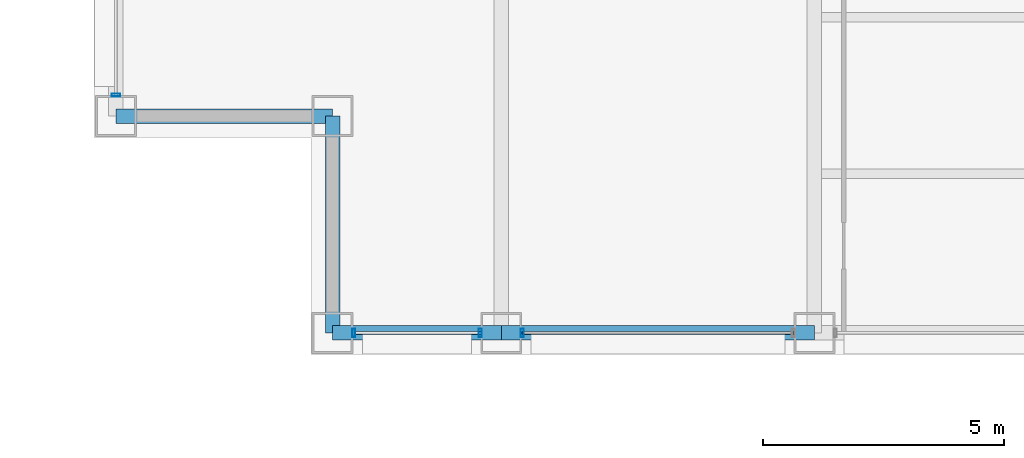
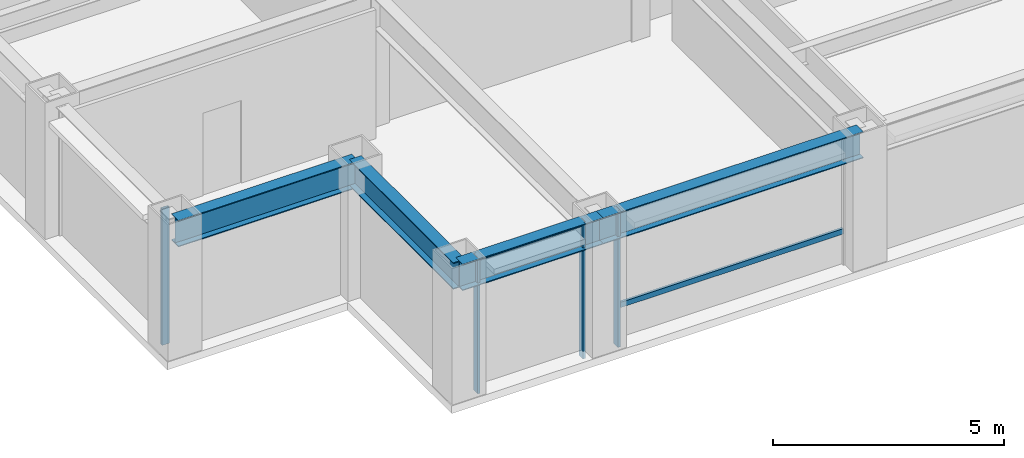
# One storey, part 2 of 28: 6 members, 4 beams, 3 elements without a shape of their own.
"""IFC4 building model written with IfcOpenShell, lengths in metres."""

from ifc_helpers import new_model, si_unit, direction, frame, origin, origin_2d, place, context, subcontext, project, spatial, hollow_rectangle, i_section, extrude, material, layer, layer_set, material_profile, profile_set, type_object, element, aggregate, save


model = new_model("IFC4")

# Units and contexts
model_context = context("Model", 3, precision=1e-05, world=origin(), true_north=direction((0.0, 1.0)))
body_context = subcontext(model_context, "Body", "Model", "MODEL_VIEW")
ifc_project = project(units=[si_unit("LENGTHUNIT", "METRE"), si_unit("AREAUNIT", "SQUARE_METRE"), si_unit("VOLUMEUNIT", "CUBIC_METRE"), si_unit("PLANEANGLEUNIT", "RADIAN"), si_unit("MASSUNIT", "GRAM", prefix="KILO")], contexts=[model_context])

# Site, building, storey
site_placement = place(None, origin())
site = spatial("IfcSite", under=ifc_project, at=site_placement, CompositionType="ELEMENT")
building_placement = place(site_placement, origin())
building = spatial("IfcBuilding", under=site, at=building_placement, Name="Brelmoor Portico Tower", CompositionType="ELEMENT")
storey_placement = place(building_placement, frame((0.0, 0.0, 91.800048828125)))
storey = spatial("IfcBuildingStorey", under=building, at=storey_placement, Name="L23", CompositionType="ELEMENT", Elevation=91.800048828125)

# Beams
ifc_material_1 = material(Name="Steel Q355B", Category="steel")
ifc_material_profile_1 = material_profile(ifc_material_1, i_section(OverallWidth=0.300048828125, OverallDepth=0.699951171875, WebThickness=0.012939453125, FlangeThickness=0.02392578125, at=origin_2d()), Name="HN 700x300x13x24")
ifc_profile_set_1 = profile_set([ifc_material_profile_1], Name="Steel Q355B")
beam_type = type_object("IfcBeamType", Name="BM-SP-700", PredefinedType="SPANDREL", material=ifc_profile_set_1)
beam_1_placement = place(storey_placement, frame((-18.050048828125, -19.550048828125, 3.050048828125), z_axis=(1.0, 0.0, 0.0), x_axis=(0.0, 1.0, 0.0)))
element("IfcBeam", 1, at=beam_1_placement, inside=storey, type_object=beam_type, Name="L23 Perimeter Spandrel Beam SP-01", PredefinedType="SPANDREL", context=body_context, shape_type="SweptSolid", body=[
    extrude(i_section(OverallWidth=0.300048828125, OverallDepth=0.699951171875, WebThickness=0.012939453125, FlangeThickness=0.02392578125, at=origin_2d()), origin(), (0.0, 0.0, 1.0), 3.5),
])
beam_2_placement = place(storey_placement, frame((-14.550048828125, -19.550048828125, 3.050048828125), z_axis=(1.0, 0.0, 0.0), x_axis=(0.0, 1.0, 0.0)))
element("IfcBeam", 2, at=beam_2_placement, inside=storey, type_object=beam_type, Name="L23 Perimeter Spandrel Beam SP-02", PredefinedType="SPANDREL", context=body_context, shape_type="SweptSolid", body=[
    extrude(i_section(OverallWidth=0.300048828125, OverallDepth=0.699951171875, WebThickness=0.012939453125, FlangeThickness=0.02392578125, at=origin_2d()), origin(), (0.0, 0.0, 1.0), 6.5),
])
for number, where, z_axis, x_axis, name in (
    (3, (-22.550048828125, -15.050048828125, 3.050048828125), (1.0, 0.0, 0.0), (0.0, 1.0, 0.0), "L23 Perimeter Spandrel Beam SP-06"),
    (4, (-18.050048828125, -19.550048828125, 3.050048828125), (0.0, 1.0, 0.0), (-1.0, 0.0, 0.0), "L23 Perimeter Spandrel Beam SP-18"),
):
    element("IfcBeam", number, at=place(storey_placement, frame(where, z_axis=z_axis, x_axis=x_axis)), inside=storey, type_object=beam_type, Name=name, PredefinedType="SPANDREL", context=body_context, shape_type="SweptSolid", body=[
        extrude(i_section(OverallWidth=0.300048828125, OverallDepth=0.699951171875, WebThickness=0.012939453125, FlangeThickness=0.02392578125, at=origin_2d()), origin(), (0.0, 0.0, 1.0), 4.5),
    ])

# Curtain wall, members
ifc_material_2 = material(Name="Anodised Aluminium Alloy 6063-T6", Category="aluminium")
ifc_layer_1 = layer(ifc_material_2, 0.179931640625)
ifc_layer_set_1 = layer_set([ifc_layer_1], Name="Anodised Aluminium Alloy 6063-T6")
curtain_wall_type_1 = type_object("IfcCurtainWallType", Name="CW-TOWER-Z2-XB", PredefinedType="NOTDEFINED", material=ifc_layer_set_1)
curtain_wall_1_placement = place(storey_placement, origin())
curtain_wall_1 = element("IfcCurtainWall", 5, at=curtain_wall_1_placement, inside=storey, type_object=curtain_wall_type_1, Name="L23 Curtain Wall CW-L23-01-1", PredefinedType="NOTDEFINED")
ifc_material_profile_2 = material_profile(ifc_material_2, hollow_rectangle(XDim=0.06494140625, YDim=0.179931640625, WallThickness=0.00390625, at=origin_2d()), Name="ALU MULLION 65x180")
ifc_profile_set_2 = profile_set([ifc_material_profile_2], Name="Anodised Aluminium Alloy 6063-T6")
member_type_1 = type_object("IfcMemberType", Name="MB-CW-MULL-180", PredefinedType="MULLION", material=ifc_profile_set_2)
member_1_placement = place(storey_placement, frame((-17.614990234375, -19.550048828125, -0.199951171875), z_axis=(0.0, 0.0, 1.0), x_axis=(1.0, 0.0, 0.0)))
member_1 = element("IfcMember", 6, at=member_1_placement, type_object=member_type_1, Name="CW-L23-01-1 Mullion 00", PredefinedType="MULLION", context=body_context, shape_type="SweptSolid", body=[
    extrude(hollow_rectangle(XDim=0.06494140625, YDim=0.179931640625, WallThickness=0.00390625, at=origin_2d()), origin(), (0.0, 0.0, 1.0), 3.599853515625),
])
member_2_placement = place(storey_placement, frame((-14.985107421875, -19.550048828125, -0.199951171875), z_axis=(0.0, 0.0, 1.0), x_axis=(1.0, 0.0, 0.0)))
member_2 = element("IfcMember", 7, at=member_2_placement, type_object=member_type_1, Name="CW-L23-01-1 Mullion 01", PredefinedType="MULLION", context=body_context, shape_type="SweptSolid", body=[
    extrude(hollow_rectangle(XDim=0.06494140625, YDim=0.179931640625, WallThickness=0.00390625, at=origin_2d()), origin(), (0.0, 0.0, 1.0), 3.599853515625),
])

# Curtain wall, member
ifc_layer_2 = layer(ifc_material_2, 0.179931640625)
ifc_layer_set_2 = layer_set([ifc_layer_2], Name="Anodised Aluminium Alloy 6063-T6")
curtain_wall_type_2 = type_object("IfcCurtainWallType", Name="CW-TOWER-Z2", PredefinedType="NOTDEFINED", material=ifc_layer_set_2)
curtain_wall_2_placement = place(storey_placement, origin())
curtain_wall_2 = element("IfcCurtainWall", 8, at=curtain_wall_2_placement, inside=storey, type_object=curtain_wall_type_2, Name="L23 Curtain Wall CW-L23-01-2", PredefinedType="NOTDEFINED")
member_3_placement = place(storey_placement, frame((-14.114990234375, -19.550048828125, -0.199951171875), z_axis=(0.0, 0.0, 1.0), x_axis=(1.0, 0.0, 0.0)))
member_3 = element("IfcMember", 9, at=member_3_placement, type_object=member_type_1, Name="CW-L23-01-2 Mullion 00", PredefinedType="MULLION", context=body_context, shape_type="SweptSolid", body=[
    extrude(hollow_rectangle(XDim=0.06494140625, YDim=0.179931640625, WallThickness=0.00390625, at=origin_2d()), origin(), (0.0, 0.0, 1.0), 3.599853515625),
])

curtain_wall_3_placement = place(storey_placement, origin())
curtain_wall_3 = element("IfcCurtainWall", 10, at=curtain_wall_3_placement, inside=storey, type_object=curtain_wall_type_1, Name="L23 Curtain Wall CW-L23-03-1", PredefinedType="NOTDEFINED")
member_4_placement = place(storey_placement, frame((-22.550048828125, -14.614990234375, -0.199951171875), z_axis=(0.0, 0.0, 1.0), x_axis=(0.0, 1.0, 0.0)))
member_4 = element("IfcMember", 11, at=member_4_placement, type_object=member_type_1, Name="CW-L23-03-1 Mullion 00", PredefinedType="MULLION", context=body_context, shape_type="SweptSolid", body=[
    extrude(hollow_rectangle(XDim=0.06494140625, YDim=0.179931640625, WallThickness=0.00390625, at=origin_2d()), origin(), (0.0, 0.0, 1.0), 3.599853515625),
])
aggregate(curtain_wall_3, [member_4])

# Member
ifc_material_profile_3 = material_profile(ifc_material_2, hollow_rectangle(XDim=0.06494140625, YDim=0.139892578125, WallThickness=0.00390625, at=origin_2d()), Name="ALU TRANSOM 65x140")
ifc_profile_set_3 = profile_set([ifc_material_profile_3], Name="Anodised Aluminium Alloy 6063-T6")
member_type_2 = type_object("IfcMemberType", Name="MB-CW-TRAN-140", PredefinedType="USERDEFINED", material=ifc_profile_set_3)
member_5_placement = place(storey_placement, frame((-17.614990234375, -19.550048828125, 3.329833984375), z_axis=(1.0, 0.0, 0.0), x_axis=(0.0, 1.0, 0.0)))
member_5 = element("IfcMember", 12, at=member_5_placement, type_object=member_type_2, Name="CW-L23-01-1 Transom 1-00", ObjectType="TRANSOM", PredefinedType="USERDEFINED", context=body_context, shape_type="SweptSolid", body=[
    extrude(hollow_rectangle(XDim=0.06494140625, YDim=0.139892578125, WallThickness=0.00390625, at=origin_2d()), origin(), (0.0, 0.0, 1.0), 2.6298828125),
])

aggregate(curtain_wall_1, [member_1, member_2, member_5])

member_6_placement = place(storey_placement, frame((-14.114990234375, -19.550048828125, 0.849853515625), z_axis=(1.0, 0.0, 0.0), x_axis=(0.0, 1.0, 0.0)))
member_6 = element("IfcMember", 13, at=member_6_placement, type_object=member_type_2, Name="CW-L23-01-2 Transom 1-00", ObjectType="TRANSOM", PredefinedType="USERDEFINED", context=body_context, shape_type="SweptSolid", body=[
    extrude(hollow_rectangle(XDim=0.06494140625, YDim=0.139892578125, WallThickness=0.00390625, at=origin_2d()), origin(), (0.0, 0.0, 1.0), 5.6298828125),
])

aggregate(curtain_wall_2, [member_3, member_6])

save(model, "model.ifc")
